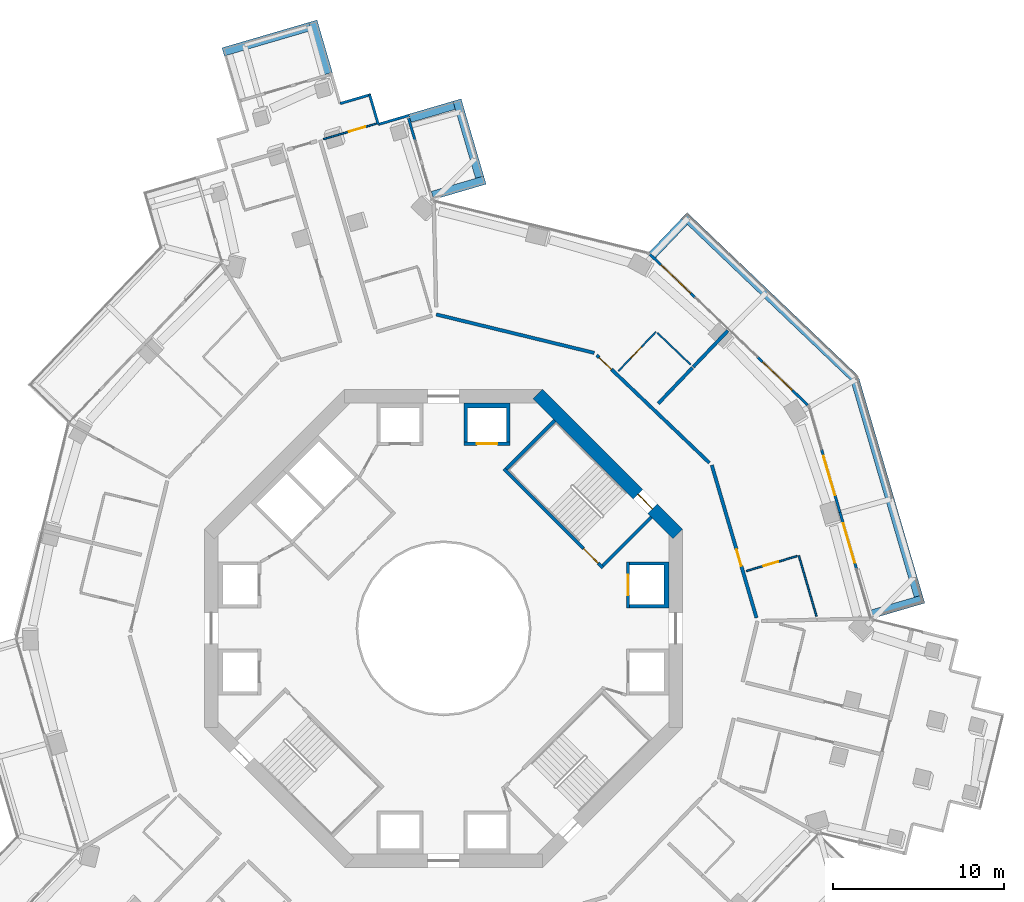
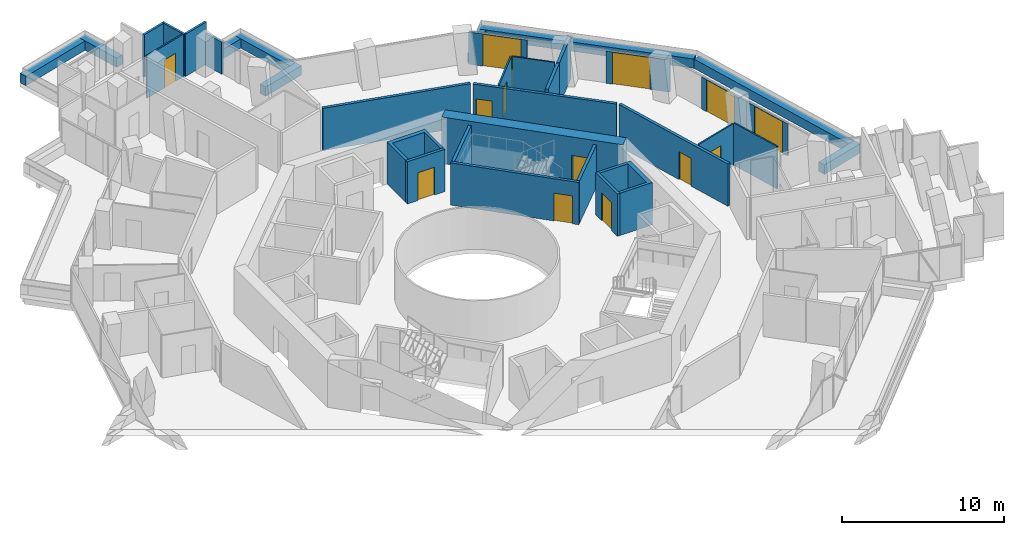
# One storey, part 22 of 25: 35 walls, 13 doors, 13 openings.
"""IFC4 building model written with IfcOpenShell, lengths in metres."""

from ifc_helpers import new_model, si_unit, direction, frame, frame_2d, origin, place, context, subcontext, project, spatial, polyline, rectangle, outline, extrude, material, layer, layer_set, type_object, element, fill, save


model = new_model("IFC4")

# Units and contexts
model_context = context("Model", 3, precision=1e-05, world=origin(), true_north=direction((0.0, 1.0)))
body_context = subcontext(model_context, "Body", "Model", "MODEL_VIEW")
ifc_project = project(units=[si_unit("LENGTHUNIT", "METRE"), si_unit("AREAUNIT", "SQUARE_METRE"), si_unit("VOLUMEUNIT", "CUBIC_METRE"), si_unit("PLANEANGLEUNIT", "RADIAN"), si_unit("MASSUNIT", "GRAM", prefix="KILO")], contexts=[model_context])

# Site, building, storey
site_placement = place(None, origin())
site = spatial("IfcSite", under=ifc_project, at=site_placement, CompositionType="ELEMENT")
building_placement = place(site_placement, origin())
building = spatial("IfcBuilding", under=site, at=building_placement, Name="Verdalira Terraces Hotel", CompositionType="ELEMENT")
storey_placement = place(building_placement, frame((0.0, 0.0, 100.0)))
storey = spatial("IfcBuildingStorey", under=building, at=storey_placement, Name="L23", CompositionType="ELEMENT", Elevation=100.0)

# Walls
ifc_material_1 = material(Name="Concrete C40", Category="concrete")
ifc_layer_1 = layer(ifc_material_1, 0.5)
ifc_layer_set_1 = layer_set([ifc_layer_1], Name="Balcony planter trough with tree")
wall_type_1 = type_object("IfcWallType", Name="Balcony planter trough with tree", PredefinedType="SOLIDWALL", material=ifc_layer_set_1)
wall_1_placement = place(storey_placement, frame((-6.748779, 32.479736, 0.0), z_axis=(0.0, 0.0, 1.0), x_axis=(-0.281005054, 0.959706288, 0.0)))
element("IfcWall", 1, at=wall_1_placement, inside=storey, type_object=wall_type_1, Name="Balcony planter", PredefinedType="SOLIDWALL", context=body_context, shape_type="SweptSolid", body=[
    extrude(rectangle(XDim=3.198975, YDim=0.5, at=frame_2d((1.599609, 0.0))), origin(), (0.0, 0.0, 1.0), 0.699951),
])
wall_2_placement = place(storey_placement, frame((-7.817383, 35.239746, 0.0), z_axis=(0.0, 0.0, 1.0), x_axis=(-0.959709536, -0.28099396, 0.0)))
element("IfcWall", 2, at=wall_2_placement, inside=storey, type_object=wall_type_1, Name="Balcony planter", PredefinedType="SOLIDWALL", context=body_context, shape_type="SweptSolid", body=[
    extrude(rectangle(XDim=5.300049, YDim=0.5, at=frame_2d((2.649902, 0.0))), origin(), (0.0, 0.0, 1.0), 0.699951),
])
wall_3_placement = place(storey_placement, frame((25.038086, 0.818848, 0.0), z_axis=(0.0, 0.0, 1.0), x_axis=(0.959706288, 0.281005054, 0.0)))
element("IfcWall", 3, at=wall_3_placement, inside=storey, type_object=wall_type_1, Name="Balcony planter", PredefinedType="SOLIDWALL", context=body_context, shape_type="SweptSolid", body=[
    extrude(rectangle(XDim=3.198975, YDim=0.5, at=frame_2d((1.599609, 0.0))), origin(), (0.0, 0.0, 1.0), 0.699951),
])
wall_4_placement = place(storey_placement, frame((27.798096, 1.887451, 0.0), z_axis=(0.0, 0.0, 1.0), x_axis=(-0.281006596, 0.959705837, 0.0)))
element("IfcWall", 4, at=wall_4_placement, inside=storey, type_object=wall_type_1, Name="Balcony planter", PredefinedType="SOLIDWALL", context=body_context, shape_type="SweptSolid", body=[
    extrude(rectangle(XDim=13.223145, YDim=0.5, at=frame_2d((6.611572, 0.0))), origin(), (0.0, 0.0, 1.0), 0.699951),
])
wall_5_placement = place(storey_placement, frame((24.014893, 14.688477, 0.0), z_axis=(0.0, 0.0, 1.0), x_axis=(-0.723197204, 0.690641589, 0.0)))
element("IfcWall", 5, at=wall_5_placement, inside=storey, type_object=wall_type_1, Name="Balcony planter", PredefinedType="SOLIDWALL", context=body_context, shape_type="SweptSolid", body=[
    extrude(rectangle(XDim=13.723633, YDim=0.5, at=frame_2d((6.861816, 0.0))), origin(), (0.0, 0.0, 1.0), 0.699951),
])
wall_6_placement = place(storey_placement, frame((14.098145, 23.812988, 0.0), z_axis=(0.0, 0.0, 1.0), x_axis=(-0.690637085, -0.723201505, 0.0)))
element("IfcWall", 6, at=wall_6_placement, inside=storey, type_object=wall_type_1, Name="Balcony planter", PredefinedType="SOLIDWALL", context=body_context, shape_type="SweptSolid", body=[
    extrude(rectangle(XDim=2.698975, YDim=0.5, at=frame_2d((1.349609, 0.0))), origin(), (0.0, 0.0, 1.0), 0.699951),
])
wall_7_placement = place(storey_placement, frame((-0.647705, 25.347656, 0.0), z_axis=(0.0, 0.0, 1.0), x_axis=(0.959706288, 0.281005054, 0.0)))
element("IfcWall", 7, at=wall_7_placement, inside=storey, type_object=wall_type_1, Name="Balcony planter", PredefinedType="SOLIDWALL", context=body_context, shape_type="SweptSolid", body=[
    extrude(rectangle(XDim=3.198975, YDim=0.5, at=frame_2d((1.599609, 0.0))), origin(), (0.0, 0.0, 1.0), 0.699951),
])
wall_8_placement = place(storey_placement, frame((2.112061, 26.41626, 0.0), z_axis=(0.0, 0.0, 1.0), x_axis=(-0.281009426, 0.959705008, 0.0)))
element("IfcWall", 8, at=wall_8_placement, inside=storey, type_object=wall_type_1, Name="Balcony planter", PredefinedType="SOLIDWALL", context=body_context, shape_type="SweptSolid", body=[
    extrude(rectangle(XDim=4.708008, YDim=0.5, at=frame_2d((2.354004, 0.0))), origin(), (0.0, 0.0, 1.0), 0.699951),
])
wall_9_placement = place(storey_placement, frame((0.619385, 30.624512, 0.0), z_axis=(0.0, 0.0, 1.0), x_axis=(-0.959721942, -0.280951588, 0.0)))
element("IfcWall", 9, at=wall_9_placement, inside=storey, type_object=wall_type_1, Name="Balcony planter", PredefinedType="SOLIDWALL", context=body_context, shape_type="SweptSolid", body=[
    extrude(rectangle(XDim=2.698975, YDim=0.5, at=frame_2d((1.349609, 0.0))), origin(), (0.0, 0.0, 1.0), 0.699951),
])

# Wall, opening, door
ifc_material_2 = material(Name="Moisture-resistant gypsum board partition")
ifc_layer_2 = layer(ifc_material_2, 0.10009765625)
ifc_layer_set_2 = layer_set([ifc_layer_2], Name="Bathroom partition 100 mm")
wall_type_2 = type_object("IfcWallType", Name="Bathroom partition 100 mm", PredefinedType="PARTITIONING", material=ifc_layer_set_2)
wall_10_placement = place(storey_placement, frame((-3.911621, 29.55835, 0.0), z_axis=(0.0, 0.0, 1.0), x_axis=(-0.959704326, -0.281011757, 0.0)))
wall_10 = element("IfcWall", 10, at=wall_10_placement, inside=storey, type_object=wall_type_2, Name="Bathroom partition", PredefinedType="PARTITIONING", context=body_context, shape_type="SweptSolid", body=[
    extrude(rectangle(XDim=3.251953, YDim=0.100098, at=frame_2d((1.625977, 0.0))), origin(), (0.0, 0.0, 1.0), 3.189941),
])
opening_1_placement = place(wall_10_placement, frame((0.699951, 0.0, 0.0)))
opening_1 = element("IfcOpeningElement", 11, at=opening_1_placement, cuts=wall_10, Name="Opening L23-102", PredefinedType="OPENING", context=body_context, shape_type="SweptSolid", body=[
    extrude(rectangle(XDim=1.0, YDim=2.100098, at=frame_2d((0.5, 1.050049))), frame((0.0, 0.060059, 0.0), z_axis=(0.0, -1.0, 0.0), x_axis=(1.0, 0.0, 0.0)), (0.0, 0.0, 1.0), 0.120117),
])
ifc_material_3 = material(Name="Timber door", Category="wood")
door_type_1 = type_object("IfcDoorType", Name="Suite internal door 1000 x 2100", OperationType="NOTDEFINED", PredefinedType="DOOR", material=ifc_material_3)
door_1_placement = place(opening_1_placement, origin())
door_1 = element("IfcDoor", 12, at=door_1_placement, inside=storey, type_object=door_type_1, Name="Suite internal door 2301", OperationType="SINGLE_SWING_LEFT", OverallHeight=2.10009765625, OverallWidth=1.0, PredefinedType="DOOR", context=body_context, shape_type="SweptSolid", body=[
    extrude(rectangle(XDim=1.0, YDim=2.100098, at=frame_2d((0.5, 1.050049))), frame((0.0, 0.024902, 0.0), z_axis=(0.0, -1.0, 0.0), x_axis=(1.0, 0.0, 0.0)), (0.0, 0.0, 1.0), 0.050049),
])
fill(opening_1, door_1)

wall_11_placement = place(storey_placement, frame((12.443115, 17.373779, 0.0), z_axis=(0.0, 0.0, 1.0), x_axis=(-0.690669874, -0.723170191, 0.0)))
wall_11 = element("IfcWall", 13, at=wall_11_placement, inside=storey, type_object=wall_type_2, Name="Bathroom partition", PredefinedType="PARTITIONING", context=body_context, shape_type="SweptSolid", body=[
    extrude(rectangle(XDim=3.200195, YDim=0.100098, at=frame_2d((1.600098, 0.0))), origin(), (0.0, 0.0, 1.0), 3.189941),
])
opening_2_placement = place(wall_11_placement, frame((1.25, 0.0, 0.0)))
opening_2 = element("IfcOpeningElement", 14, at=opening_2_placement, cuts=wall_11, Name="Opening L23-135", PredefinedType="OPENING", context=body_context, shape_type="SweptSolid", body=[
    extrude(rectangle(XDim=0.899902, YDim=2.100098, at=frame_2d((0.449951, 1.050049))), frame((0.0, 0.060059, 0.0), z_axis=(0.0, -1.0, 0.0), x_axis=(1.0, 0.0, 0.0)), (0.0, 0.0, 1.0), 0.120117),
])
ifc_material_4 = material(Name="Timber door", Category="wood")
door_type_2 = type_object("IfcDoorType", Name="Bathroom door 900 x 2100", OperationType="NOTDEFINED", PredefinedType="DOOR", material=ifc_material_4)
door_2_placement = place(opening_2_placement, origin())
door_2 = element("IfcDoor", 15, at=door_2_placement, inside=storey, type_object=door_type_2, Name="Bathroom door 2314", OperationType="SINGLE_SWING_LEFT", OverallHeight=2.10009765625, OverallWidth=0.89990234375, PredefinedType="DOOR", context=body_context, shape_type="SweptSolid", body=[
    extrude(rectangle(XDim=0.899902, YDim=2.100098, at=frame_2d((0.449951, 1.050049))), frame((0.0, 0.024902, 0.0), z_axis=(0.0, -1.0, 0.0), x_axis=(1.0, 0.0, 0.0)), (0.0, 0.0, 1.0), 0.050049),
])
fill(opening_2, door_2)

# Wall
wall_12_placement = place(storey_placement, frame((12.515381, 17.304688, 0.0), z_axis=(0.0, 0.0, 1.0), x_axis=(0.723195404, -0.690643473, 0.0)))
element("IfcWall", 16, at=wall_12_placement, inside=storey, type_object=wall_type_2, Name="Bathroom partition", PredefinedType="PARTITIONING", context=body_context, shape_type="SweptSolid", body=[
    extrude(rectangle(XDim=2.699951, YDim=0.100098, at=frame_2d((1.350098, 0.0))), origin(), (0.0, 0.0, 1.0), 3.189941),
])

# Wall, opening, door
wall_13_placement = place(storey_placement, frame((20.703857, 4.22998, 0.0), z_axis=(0.0, 0.0, 1.0), x_axis=(-0.959708403, -0.280997832, 0.0)))
wall_13 = element("IfcWall", 17, at=wall_13_placement, inside=storey, type_object=wall_type_2, Name="Bathroom partition", PredefinedType="PARTITIONING", context=body_context, shape_type="SweptSolid", body=[
    extrude(rectangle(XDim=3.100098, YDim=0.100098, at=frame_2d((1.550049, 0.0))), origin(), (0.0, 0.0, 1.0), 3.189941),
])
opening_3_placement = place(wall_13_placement, frame((1.149902, 0.0, 0.0)))
opening_3 = element("IfcOpeningElement", 18, at=opening_3_placement, cuts=wall_13, Name="Opening L23-133", PredefinedType="OPENING", context=body_context, shape_type="SweptSolid", body=[
    extrude(rectangle(XDim=0.899902, YDim=2.100098, at=frame_2d((0.449951, 1.050049))), frame((0.0, 0.060059, 0.0), z_axis=(0.0, -1.0, 0.0), x_axis=(1.0, 0.0, 0.0)), (0.0, 0.0, 1.0), 0.120117),
])
door_3_placement = place(opening_3_placement, origin())
door_3 = element("IfcDoor", 19, at=door_3_placement, inside=storey, type_object=door_type_2, Name="Bathroom door 2313", OperationType="SINGLE_SWING_LEFT", OverallHeight=2.10009765625, OverallWidth=0.89990234375, PredefinedType="DOOR", context=body_context, shape_type="SweptSolid", body=[
    extrude(rectangle(XDim=0.899902, YDim=2.100098, at=frame_2d((0.449951, 1.050049))), frame((0.0, 0.024902, 0.0), z_axis=(0.0, -1.0, 0.0), x_axis=(1.0, 0.0, 0.0)), (0.0, 0.0, 1.0), 0.050049),
])
fill(opening_3, door_3)

# Walls
wall_14_placement = place(storey_placement, frame((20.799805, 4.258057, 0.0), z_axis=(0.0, 0.0, 1.0), x_axis=(0.281052751, -0.959692321, 0.0)))
element("IfcWall", 20, at=wall_14_placement, inside=storey, type_object=wall_type_2, Name="Bathroom partition", PredefinedType="PARTITIONING", context=body_context, shape_type="SweptSolid", body=[
    extrude(rectangle(XDim=3.704102, YDim=0.100098, at=frame_2d((1.852051, 0.0))), origin(), (0.0, 0.0, 1.0), 3.189941),
])
ifc_material_5 = material(Name="Concrete C50", Category="concrete")
ifc_layer_3 = layer(ifc_material_5, 0.199951171875)
ifc_layer_set_3 = layer_set([ifc_layer_3], Name="Core RC wall 200 C50")
wall_type_3 = type_object("IfcWallType", Name="Core RC wall 200 C50", PredefinedType="SOLIDWALL", material=ifc_layer_set_3)
wall_15_placement = place(storey_placement, origin())
element("IfcWall", 21, at=wall_15_placement, inside=storey, type_object=wall_type_3, Name="L23 shaft wall E2", PredefinedType="SOLIDWALL", context=body_context, shape_type="SweptSolid", body=[
    extrude(outline(polyline([(13.199951, 3.899902), (13.199951, 1.199951), (10.899902, 1.199951), (10.899902, 1.399902), (12.899902, 1.399902), (12.899902, 3.699951), (10.899902, 3.699951), (10.899902, 3.899902), (13.199951, 3.899902)])), origin(), (0.0, 0.0, 1.0), 3.189941),
])

# Wall, opening, door
wall_16_placement = place(storey_placement, frame((10.800049, 1.199951, 0.0), z_axis=(0.0, 0.0, 1.0), x_axis=(0.0, 1.0, 0.0)))
wall_16 = element("IfcWall", 22, at=wall_16_placement, inside=storey, type_object=wall_type_3, Name="L23 shaft front wall E2", PredefinedType="SOLIDWALL", context=body_context, shape_type="SweptSolid", body=[
    extrude(rectangle(XDim=2.699951, YDim=0.199951, at=frame_2d((1.350098, 0.0))), origin(), (0.0, 0.0, 1.0), 3.189941),
])
opening_4_placement = place(wall_16_placement, frame((0.75, 0.0, 0.0)))
opening_4 = element("IfcOpeningElement", 23, at=opening_4_placement, cuts=wall_16, Name="Opening LD-L23-802", PredefinedType="OPENING", context=body_context, shape_type="SweptSolid", body=[
    extrude(rectangle(XDim=1.199951, YDim=2.100098, at=frame_2d((0.600098, 1.050049))), frame((0.0, 0.109863, 0.0), z_axis=(0.0, -1.0, 0.0), x_axis=(1.0, 0.0, 0.0)), (0.0, 0.0, 1.0), 0.219971),
])
ifc_material_6 = material(Name="Stainless steel", Category="steel")
door_type_3 = type_object("IfcDoorType", Name="Landing door 1200 x 2100", OperationType="NOTDEFINED", PredefinedType="DOOR", material=ifc_material_6)
door_4_placement = place(opening_4_placement, origin())
door_4 = element("IfcDoor", 24, at=door_4_placement, inside=storey, type_object=door_type_3, Name="Lift landing door LR2 L23", OperationType="DOUBLE_DOOR_SLIDING", OverallHeight=2.10009765625, OverallWidth=1.199951171875, PredefinedType="DOOR", context=body_context, shape_type="SweptSolid", body=[
    extrude(rectangle(XDim=1.199951, YDim=2.100098, at=frame_2d((0.600098, 1.050049))), frame((0.0, 0.024902, 0.0), z_axis=(0.0, -1.0, 0.0), x_axis=(1.0, 0.0, 0.0)), (0.0, 0.0, 1.0), 0.050049),
])
fill(opening_4, door_4)

# Wall
wall_17_placement = place(storey_placement, origin())
element("IfcWall", 25, at=wall_17_placement, inside=storey, type_object=wall_type_3, Name="L23 shaft wall N1", PredefinedType="SOLIDWALL", context=body_context, shape_type="SweptSolid", body=[
    extrude(outline(polyline([(3.899902, 13.199951), (3.899902, 10.899902), (3.699951, 10.899902), (3.699951, 12.899902), (1.399902, 12.899902), (1.399902, 10.899902), (1.199951, 10.899902), (1.199951, 13.199951), (3.899902, 13.199951)])), origin(), (0.0, 0.0, 1.0), 3.189941),
])

# Wall, opening, door
wall_18_placement = place(storey_placement, frame((1.199951, 10.800049, 0.0), z_axis=(0.0, 0.0, 1.0), x_axis=(1.0, 0.0, 0.0)))
wall_18 = element("IfcWall", 26, at=wall_18_placement, inside=storey, type_object=wall_type_3, Name="L23 shaft front wall N1", PredefinedType="SOLIDWALL", context=body_context, shape_type="SweptSolid", body=[
    extrude(rectangle(XDim=2.699951, YDim=0.199951, at=frame_2d((1.350098, 0.0))), origin(), (0.0, 0.0, 1.0), 3.189941),
])
opening_5_placement = place(wall_18_placement, frame((0.75, 0.0, 0.0)))
opening_5 = element("IfcOpeningElement", 27, at=opening_5_placement, cuts=wall_18, Name="Opening LD-L23-803", PredefinedType="OPENING", context=body_context, shape_type="SweptSolid", body=[
    extrude(rectangle(XDim=1.199951, YDim=2.100098, at=frame_2d((0.600098, 1.050049))), frame((0.0, 0.109863, 0.0), z_axis=(0.0, -1.0, 0.0), x_axis=(1.0, 0.0, 0.0)), (0.0, 0.0, 1.0), 0.219971),
])
door_5_placement = place(opening_5_placement, origin())
door_5 = element("IfcDoor", 28, at=door_5_placement, inside=storey, type_object=door_type_3, Name="Lift landing door LR3 L23", OperationType="DOUBLE_DOOR_SLIDING", OverallHeight=2.10009765625, OverallWidth=1.199951171875, PredefinedType="DOOR", context=body_context, shape_type="SweptSolid", body=[
    extrude(rectangle(XDim=1.199951, YDim=2.100098, at=frame_2d((0.600098, 1.050049))), frame((0.0, 0.024902, 0.0), z_axis=(0.0, -1.0, 0.0), x_axis=(1.0, 0.0, 0.0)), (0.0, 0.0, 1.0), 0.050049),
])
fill(opening_5, door_5)

wall_19_placement = place(storey_placement, frame((3.5354, 9.33374, 0.0), z_axis=(0.0, 0.0, 1.0), x_axis=(0.707106781, -0.707106781, 0.0)))
wall_19 = element("IfcWall", 29, at=wall_19_placement, inside=storey, type_object=wall_type_3, Name="L23 stair ST1 front wall", PredefinedType="SOLIDWALL", context=body_context, shape_type="SweptSolid", body=[
    extrude(rectangle(XDim=8.200195, YDim=0.199951, at=frame_2d((4.100098, 0.0))), origin(), (0.0, 0.0, 1.0), 3.189941),
])
opening_6_placement = place(wall_19_placement, frame((6.600098, 0.0, 0.0)))
opening_6 = element("IfcOpeningElement", 30, at=opening_6_placement, cuts=wall_19, Name="Opening L23-809", PredefinedType="OPENING", context=body_context, shape_type="SweptSolid", body=[
    extrude(rectangle(XDim=1.199951, YDim=2.100098, at=frame_2d((0.600098, 1.050049))), frame((0.0, 0.109863, 0.0), z_axis=(0.0, -1.0, 0.0), x_axis=(1.0, 0.0, 0.0)), (0.0, 0.0, 1.0), 0.219971),
])
ifc_material_7 = material(Name="Steel fire door", Category="steel")
door_type_4 = type_object("IfcDoorType", Name="Stair door 1200 x 2100", OperationType="NOTDEFINED", PredefinedType="DOOR", material=ifc_material_7)
door_6_placement = place(opening_6_placement, origin())
door_6 = element("IfcDoor", 31, at=door_6_placement, inside=storey, type_object=door_type_4, Name="Stair door ST1 L23", OperationType="SINGLE_SWING_RIGHT", OverallHeight=2.10009765625, OverallWidth=1.199951171875, PredefinedType="DOOR", context=body_context, shape_type="SweptSolid", body=[
    extrude(rectangle(XDim=1.199951, YDim=2.100098, at=frame_2d((0.600098, 1.050049))), frame((0.0, 0.024902, 0.0), z_axis=(0.0, -1.0, 0.0), x_axis=(1.0, 0.0, 0.0)), (0.0, 0.0, 1.0), 0.050049),
])
fill(opening_6, door_6)

# Walls
for number, where, z_axis, x_axis, name in (
    (32, (9.33374, 3.677002, 0.0), (0.0, 0.0, 1.0), (0.707106781, 0.707106781, 0.0), "L23 stair ST1 end wall 1"),
    (33, (3.677002, 9.33374, 0.0), (0.0, 0.0, 1.0), (0.707106781, 0.707106781, 0.0), "L23 stair ST1 end wall 2"),
):
    element("IfcWall", number, at=place(storey_placement, frame(where, z_axis=z_axis, x_axis=x_axis)), inside=storey, type_object=wall_type_3, Name=name, PredefinedType="SOLIDWALL", context=body_context, shape_type="SweptSolid", body=[
        extrude(rectangle(XDim=4.0, YDim=0.199951, at=frame_2d((2.0, 0.0))), origin(), (0.0, 0.0, 1.0), 3.189941),
    ])

# Wall, opening, door
ifc_material_8 = material(Name="Concrete C70", Category="concrete")
ifc_layer_4 = layer(ifc_material_8, 0.800048828125)
ifc_layer_set_4 = layer_set([ifc_layer_4], Name="Core wall 800 C70")
wall_type_4 = type_object("IfcWallType", Name="Core wall 800 C70", PredefinedType="SHEAR", material=ifc_layer_set_4)
wall_20_placement = place(storey_placement, frame((13.717285, 5.516113, 0.0), z_axis=(0.0, 0.0, 1.0), x_axis=(-0.707106781, 0.707106781, 0.0)))
wall_20 = element("IfcWall", 34, at=wall_20_placement, inside=storey, type_object=wall_type_4, Name="Core wall CW-L23-2", PredefinedType="SHEAR", context=body_context, shape_type="SweptSolid", body=[
    extrude(rectangle(XDim=11.598145, YDim=0.800049, at=frame_2d((5.799072, 0.0))), origin(), (0.0, 0.0, 1.0), 3.5),
])
opening_7_placement = place(wall_20_placement, frame((2.099121, 0.0, 0.0)))
opening_7 = element("IfcOpeningElement", 35, at=opening_7_placement, cuts=wall_20, Name="Opening L23-816", PredefinedType="OPENING", context=body_context, shape_type="SweptSolid", body=[
    extrude(rectangle(XDim=1.199951, YDim=2.100098, at=frame_2d((0.600098, 1.050049))), frame((0.0, 0.409912, 0.0), z_axis=(0.0, -1.0, 0.0), x_axis=(1.0, 0.0, 0.0)), (0.0, 0.0, 1.0), 0.820068),
])
door_7_placement = place(opening_7_placement, origin())
door_7 = element("IfcDoor", 36, at=door_7_placement, inside=storey, type_object=door_type_4, Name="Stair exit door ST1 L23", OperationType="SINGLE_SWING_LEFT", OverallHeight=2.10009765625, OverallWidth=1.199951171875, PredefinedType="DOOR", context=body_context, shape_type="SweptSolid", body=[
    extrude(rectangle(XDim=1.199951, YDim=2.100098, at=frame_2d((0.600098, 1.050049))), frame((0.0, 0.024902, 0.0), z_axis=(0.0, -1.0, 0.0), x_axis=(1.0, 0.0, 0.0)), (0.0, 0.0, 1.0), 0.050049),
])
fill(opening_7, door_7)

# Walls
ifc_material_9 = material(Name="Fire-rated gypsum board wall")
ifc_layer_5 = layer(ifc_material_9, 0.199951171875)
ifc_layer_set_5 = layer_set([ifc_layer_5], Name="Demising wall 200 mm")
wall_type_5 = type_object("IfcWallType", Name="Demising wall 200 mm", PredefinedType="SOLIDWALL", material=ifc_layer_set_5)
wall_21_placement = place(storey_placement, frame((12.573242, 13.166504, 0.0), z_axis=(0.0, 0.0, 1.0), x_axis=(0.690655642, 0.723183783, 0.0)))
element("IfcWall", 37, at=wall_21_placement, inside=storey, type_object=wall_type_5, Name="Demising wall", PredefinedType="SOLIDWALL", context=body_context, shape_type="SweptSolid", body=[
    extrude(rectangle(XDim=2.904541, YDim=0.199951, at=frame_2d((1.452148, 0.0))), origin(), (0.0, 0.0, 1.0), 3.189941),
])
wall_22_placement = place(storey_placement, frame((14.611084, 15.300293, 0.0), z_axis=(0.0, 0.0, 1.0), x_axis=(0.690627184, 0.72321096, 0.0)))
element("IfcWall", 38, at=wall_22_placement, inside=storey, type_object=wall_type_5, Name="Demising wall", PredefinedType="SOLIDWALL", context=body_context, shape_type="SweptSolid", body=[
    extrude(rectangle(XDim=2.952148, YDim=0.199951, at=frame_2d((1.476074, 0.0))), origin(), (0.0, 0.0, 1.0), 3.189941),
])
ifc_material_10 = material(Name="Fire-rated gypsum board wall")
ifc_layer_6 = layer(ifc_material_10, 0.199951171875)
ifc_layer_set_6 = layer_set([ifc_layer_6], Name="Guest corridor wall 200 mm")
wall_type_6 = type_object("IfcWallType", Name="Guest corridor wall 200 mm", PredefinedType="SOLIDWALL", material=ifc_layer_set_6)
wall_23_placement = place(storey_placement, frame((8.822754, 16.129395, 0.0), z_axis=(0.0, 0.0, 1.0), x_axis=(-0.971634313, 0.236488398, 0.0)))
element("IfcWall", 39, at=wall_23_placement, inside=storey, type_object=wall_type_6, Name="Guest corridor wall", PredefinedType="SOLIDWALL", context=body_context, shape_type="SweptSolid", body=[
    extrude(rectangle(XDim=9.516357, YDim=0.199951, at=frame_2d((4.758301, 0.0))), origin(), (0.0, 0.0, 1.0), 3.189941),
])

# Wall, opening, door
wall_24_placement = place(storey_placement, frame((8.968262, 15.990723, 0.0), z_axis=(0.0, 0.0, 1.0), x_axis=(0.723216288, -0.690621605, 0.0)))
wall_24 = element("IfcWall", 40, at=wall_24_placement, inside=storey, type_object=wall_type_6, Name="Guest corridor wall", PredefinedType="SOLIDWALL", context=body_context, shape_type="SweptSolid", body=[
    extrude(rectangle(XDim=9.115479, YDim=0.199951, at=frame_2d((4.557617, 0.0))), origin(), (0.0, 0.0, 1.0), 3.189941),
])
opening_8_placement = place(wall_24_placement, frame((0.199951, 0.0, 0.0)))
opening_8 = element("IfcOpeningElement", 41, at=opening_8_placement, cuts=wall_24, Name="Opening L23-134", PredefinedType="OPENING", context=body_context, shape_type="SweptSolid", body=[
    extrude(rectangle(XDim=1.0, YDim=2.100098, at=frame_2d((0.5, 1.050049))), frame((0.0, 0.109863, 0.0), z_axis=(0.0, -1.0, 0.0), x_axis=(1.0, 0.0, 0.0)), (0.0, 0.0, 1.0), 0.219971),
])
ifc_material_11 = material(Name="Timber fire door", Category="wood")
door_type_5 = type_object("IfcDoorType", Name="Guest entry door 1000 x 2100", OperationType="NOTDEFINED", PredefinedType="DOOR", material=ifc_material_11)
door_8_placement = place(opening_8_placement, origin())
door_8 = element("IfcDoor", 42, at=door_8_placement, inside=storey, type_object=door_type_5, Name="Guest entry door 2314", OperationType="SINGLE_SWING_LEFT", OverallHeight=2.10009765625, OverallWidth=1.0, PredefinedType="DOOR", context=body_context, shape_type="SweptSolid", body=[
    extrude(rectangle(XDim=1.0, YDim=2.100098, at=frame_2d((0.5, 1.050049))), frame((0.0, 0.024902, 0.0), z_axis=(0.0, -1.0, 0.0), x_axis=(1.0, 0.0, 0.0)), (0.0, 0.0, 1.0), 0.050049),
])
fill(opening_8, door_8)

wall_25_placement = place(storey_placement, frame((15.705811, 9.556152, 0.0), z_axis=(0.0, 0.0, 1.0), x_axis=(0.281011202, -0.959704488, 0.0)))
wall_25 = element("IfcWall", 43, at=wall_25_placement, inside=storey, type_object=wall_type_6, Name="Guest corridor wall", PredefinedType="SOLIDWALL", context=body_context, shape_type="SweptSolid", body=[
    extrude(rectangle(XDim=9.316162, YDim=0.199951, at=frame_2d((4.658203, 0.0))), origin(), (0.0, 0.0, 1.0), 3.189941),
])
opening_9_placement = place(wall_25_placement, frame((5.149902, 0.0, 0.0)))
opening_9 = element("IfcOpeningElement", 44, at=opening_9_placement, cuts=wall_25, Name="Opening L23-132", PredefinedType="OPENING", context=body_context, shape_type="SweptSolid", body=[
    extrude(rectangle(XDim=1.0, YDim=2.100098, at=frame_2d((0.5, 1.050049))), frame((0.0, 0.109863, 0.0), z_axis=(0.0, -1.0, 0.0), x_axis=(1.0, 0.0, 0.0)), (0.0, 0.0, 1.0), 0.219971),
])
door_9_placement = place(opening_9_placement, origin())
door_9 = element("IfcDoor", 45, at=door_9_placement, inside=storey, type_object=door_type_5, Name="Guest entry door 2313", OperationType="SINGLE_SWING_LEFT", OverallHeight=2.10009765625, OverallWidth=1.0, PredefinedType="DOOR", context=body_context, shape_type="SweptSolid", body=[
    extrude(rectangle(XDim=1.0, YDim=2.100098, at=frame_2d((0.5, 1.050049))), frame((0.0, 0.024902, 0.0), z_axis=(0.0, -1.0, 0.0), x_axis=(1.0, 0.0, 0.0)), (0.0, 0.0, 1.0), 0.050049),
])
fill(opening_9, door_9)

# Walls
ifc_material_12 = material(Name="Terracotta cladding", Category="masonry")
ifc_layer_7 = layer(ifc_material_12, 0.14990234375)
ifc_layer_set_7 = layer_set([ifc_layer_7], Name="Terracotta clad wall 150")
wall_type_7 = type_object("IfcWallType", Name="Terracotta clad wall 150", PredefinedType="SOLIDWALL", material=ifc_layer_set_7)
wall_26_placement = place(storey_placement, frame((-2.020996, 30.033691, 0.0), z_axis=(0.0, 0.0, 1.0), x_axis=(-0.959704864, -0.281009918, 0.0)))
element("IfcWall", 46, at=wall_26_placement, inside=storey, type_object=wall_type_7, Name="Terracotta cladding wall", PredefinedType="SOLIDWALL", context=body_context, shape_type="SweptSolid", body=[
    extrude(rectangle(XDim=1.874756, YDim=0.149902, at=frame_2d((0.9375, 0.0))), origin(), (0.0, 0.0, 1.0), 3.189941),
])
wall_27_placement = place(storey_placement, frame((-3.820312, 29.506836, 0.0), z_axis=(0.0, 0.0, 1.0), x_axis=(-0.28102063, 0.959701727, 0.0)))
element("IfcWall", 47, at=wall_27_placement, inside=storey, type_object=wall_type_7, Name="Terracotta cladding wall", PredefinedType="SOLIDWALL", context=body_context, shape_type="SweptSolid", body=[
    extrude(rectangle(XDim=1.800049, YDim=0.149902, at=frame_2d((0.899902, 0.0))), origin(), (0.0, 0.0, 1.0), 3.189941),
])
wall_28_placement = place(storey_placement, frame((-4.25415, 31.255371, 0.0), z_axis=(0.0, 0.0, 1.0), x_axis=(-0.959715145, -0.280974804, 0.0)))
element("IfcWall", 48, at=wall_28_placement, inside=storey, type_object=wall_type_7, Name="Terracotta cladding wall", PredefinedType="SOLIDWALL", context=body_context, shape_type="SweptSolid", body=[
    extrude(rectangle(XDim=1.875, YDim=0.149902, at=frame_2d((0.9375, 0.0))), origin(), (0.0, 0.0, 1.0), 3.189941),
])
ifc_material_13 = material(Name="Terracotta cladding", Category="masonry")
ifc_layer_8 = layer(ifc_material_13, 0.14990234375)
ifc_layer_set_8 = layer_set([ifc_layer_8], Name="Terracotta column pier 150")
wall_type_8 = type_object("IfcWallType", Name="Terracotta column pier 150", PredefinedType="SOLIDWALL", material=ifc_layer_set_8)
wall_29_placement = place(storey_placement, frame((-1.666748, 28.557373, 0.0), z_axis=(0.0, 0.0, 1.0), x_axis=(-0.281086713, 0.959682374, 0.0)))
element("IfcWall", 49, at=wall_29_placement, inside=storey, type_object=wall_type_8, Name="Terracotta column pier", PredefinedType="SOLIDWALL", context=body_context, shape_type="SweptSolid", body=[
    extrude(rectangle(XDim=1.371338, YDim=0.149902, at=frame_2d((0.685547, 0.0))), origin(), (0.0, 0.0, 1.0), 2.425049),
])

# Wall, opening, door
ifc_material_14 = material(Name="Terracotta cladding", Category="masonry")
ifc_layer_9 = layer(ifc_material_14, 0.14990234375)
ifc_layer_set_9 = layer_set([ifc_layer_9], Name="Terracotta door pier 150")
wall_type_9 = type_object("IfcWallType", Name="Terracotta door pier 150", PredefinedType="SOLIDWALL", material=ifc_layer_set_9)
wall_30_placement = place(storey_placement, frame((24.185303, 3.460693, 0.0), z_axis=(0.0, 0.0, 1.0), x_axis=(-0.28096031, 0.959719388, 0.0)))
wall_30 = element("IfcWall", 50, at=wall_30_placement, inside=storey, type_object=wall_type_9, Name="Terracotta door pier", PredefinedType="SOLIDWALL", context=body_context, shape_type="SweptSolid", body=[
    extrude(rectangle(XDim=3.474854, YDim=0.149902, at=frame_2d((1.737305, 0.0))), origin(), (0.0, 0.0, 1.0), 2.425049),
])
opening_10_placement = place(wall_30_placement, frame((0.399902, 0.0, 0.0)))
opening_10 = element("IfcOpeningElement", 51, at=opening_10_placement, cuts=wall_30, Name="Opening L23-B17", PredefinedType="OPENING", context=body_context, shape_type="SweptSolid", body=[
    extrude(rectangle(XDim=2.399902, YDim=2.399902, at=frame_2d((1.199951, 1.199951))), frame((0.0, 0.084961, 0.0), z_axis=(0.0, -1.0, 0.0), x_axis=(1.0, 0.0, 0.0)), (0.0, 0.0, 1.0), 0.169922),
])
ifc_material_15 = material(Name="Clear glass", Category="glass")
door_type_6 = type_object("IfcDoorType", Name="Balcony sliding door 2400x2400", OperationType="NOTDEFINED", PredefinedType="DOOR", material=ifc_material_15)
door_10_placement = place(opening_10_placement, origin())
door_10 = element("IfcDoor", 52, at=door_10_placement, inside=storey, type_object=door_type_6, Name="Balcony sliding door", OperationType="SLIDING_TO_RIGHT", OverallHeight=2.39990234375, OverallWidth=2.39990234375, PredefinedType="DOOR", context=body_context, shape_type="SweptSolid", body=[
    extrude(rectangle(XDim=2.399902, YDim=2.399902, at=frame_2d((1.199951, 1.199951))), frame((0.0, 0.024902, 0.0), z_axis=(0.0, -1.0, 0.0), x_axis=(1.0, 0.0, 0.0)), (0.0, 0.0, 1.0), 0.050049),
])
fill(opening_10, door_10)

wall_31_placement = place(storey_placement, frame((23.208984, 6.795654, 0.0), z_axis=(0.0, 0.0, 1.0), x_axis=(-0.281028882, 0.959699311, 0.0)))
wall_31 = element("IfcWall", 53, at=wall_31_placement, inside=storey, type_object=wall_type_9, Name="Terracotta door pier", PredefinedType="SOLIDWALL", context=body_context, shape_type="SweptSolid", body=[
    extrude(rectangle(XDim=3.835449, YDim=0.149902, at=frame_2d((1.917725, 0.0))), origin(), (0.0, 0.0, 1.0), 2.425049),
])
opening_11_placement = place(wall_31_placement, frame((1.0354, 0.0, 0.0)))
opening_11 = element("IfcOpeningElement", 54, at=opening_11_placement, cuts=wall_31, Name="Opening L23-B18", PredefinedType="OPENING", context=body_context, shape_type="SweptSolid", body=[
    extrude(rectangle(XDim=2.399902, YDim=2.399902, at=frame_2d((1.199951, 1.199951))), frame((0.0, 0.084961, 0.0), z_axis=(0.0, -1.0, 0.0), x_axis=(1.0, 0.0, 0.0)), (0.0, 0.0, 1.0), 0.169922),
])
door_11_placement = place(opening_11_placement, origin())
door_11 = element("IfcDoor", 55, at=door_11_placement, inside=storey, type_object=door_type_6, Name="Balcony sliding door", OperationType="SLIDING_TO_LEFT", OverallHeight=2.39990234375, OverallWidth=2.39990234375, PredefinedType="DOOR", context=body_context, shape_type="SweptSolid", body=[
    extrude(rectangle(XDim=2.399902, YDim=2.399902, at=frame_2d((1.199951, 1.199951))), frame((0.0, 0.024902, 0.0), z_axis=(0.0, -1.0, 0.0), x_axis=(1.0, 0.0, 0.0)), (0.0, 0.0, 1.0), 0.050049),
])
fill(opening_11, door_11)

wall_32_placement = place(storey_placement, frame((21.330078, 13.06958, 0.0), z_axis=(0.0, 0.0, 1.0), x_axis=(-0.723183846, 0.690655576, 0.0)))
wall_32 = element("IfcWall", 56, at=wall_32_placement, inside=storey, type_object=wall_type_9, Name="Terracotta door pier", PredefinedType="SOLIDWALL", context=body_context, shape_type="SweptSolid", body=[
    extrude(rectangle(XDim=4.067871, YDim=0.149902, at=frame_2d((2.033936, 0.0))), origin(), (0.0, 0.0, 1.0), 2.425049),
])
opening_12_placement = place(wall_32_placement, frame((1.267822, 0.0, 0.0)))
opening_12 = element("IfcOpeningElement", 57, at=opening_12_placement, cuts=wall_32, Name="Opening L23-B19", PredefinedType="OPENING", context=body_context, shape_type="SweptSolid", body=[
    extrude(rectangle(XDim=2.399902, YDim=2.399902, at=frame_2d((1.199951, 1.199951))), frame((0.0, 0.084961, 0.0), z_axis=(0.0, -1.0, 0.0), x_axis=(1.0, 0.0, 0.0)), (0.0, 0.0, 1.0), 0.169922),
])
door_12_placement = place(opening_12_placement, origin())
door_12 = element("IfcDoor", 58, at=door_12_placement, inside=storey, type_object=door_type_6, Name="Balcony sliding door", OperationType="SLIDING_TO_LEFT", OverallHeight=2.39990234375, OverallWidth=2.39990234375, PredefinedType="DOOR", context=body_context, shape_type="SweptSolid", body=[
    extrude(rectangle(XDim=2.399902, YDim=2.399902, at=frame_2d((1.199951, 1.199951))), frame((0.0, 0.024902, 0.0), z_axis=(0.0, -1.0, 0.0), x_axis=(1.0, 0.0, 0.0)), (0.0, 0.0, 1.0), 0.050049),
])
fill(opening_12, door_12)

wall_33_placement = place(storey_placement, frame((14.756592, 19.347168, 0.0), z_axis=(0.0, 0.0, 1.0), x_axis=(-0.723237516, 0.690599375, 0.0)))
wall_33 = element("IfcWall", 59, at=wall_33_placement, inside=storey, type_object=wall_type_9, Name="Terracotta door pier", PredefinedType="SOLIDWALL", context=body_context, shape_type="SweptSolid", body=[
    extrude(rectangle(XDim=3.710205, YDim=0.149902, at=frame_2d((1.85498, 0.0))), origin(), (0.0, 0.0, 1.0), 2.425049),
])
opening_13_placement = place(wall_33_placement, frame((0.399902, 0.0, 0.0)))
opening_13 = element("IfcOpeningElement", 60, at=opening_13_placement, cuts=wall_33, Name="Opening L23-B20", PredefinedType="OPENING", context=body_context, shape_type="SweptSolid", body=[
    extrude(rectangle(XDim=2.399902, YDim=2.399902, at=frame_2d((1.199951, 1.199951))), frame((0.0, 0.084961, 0.0), z_axis=(0.0, -1.0, 0.0), x_axis=(1.0, 0.0, 0.0)), (0.0, 0.0, 1.0), 0.169922),
])
door_13_placement = place(opening_13_placement, origin())
door_13 = element("IfcDoor", 61, at=door_13_placement, inside=storey, type_object=door_type_6, Name="Balcony sliding door", OperationType="SLIDING_TO_RIGHT", OverallHeight=2.39990234375, OverallWidth=2.39990234375, PredefinedType="DOOR", context=body_context, shape_type="SweptSolid", body=[
    extrude(rectangle(XDim=2.399902, YDim=2.399902, at=frame_2d((1.199951, 1.199951))), frame((0.0, 0.024902, 0.0), z_axis=(0.0, -1.0, 0.0), x_axis=(1.0, 0.0, 0.0)), (0.0, 0.0, 1.0), 0.050049),
])
fill(opening_13, door_13)

save(model, "model.ifc")
